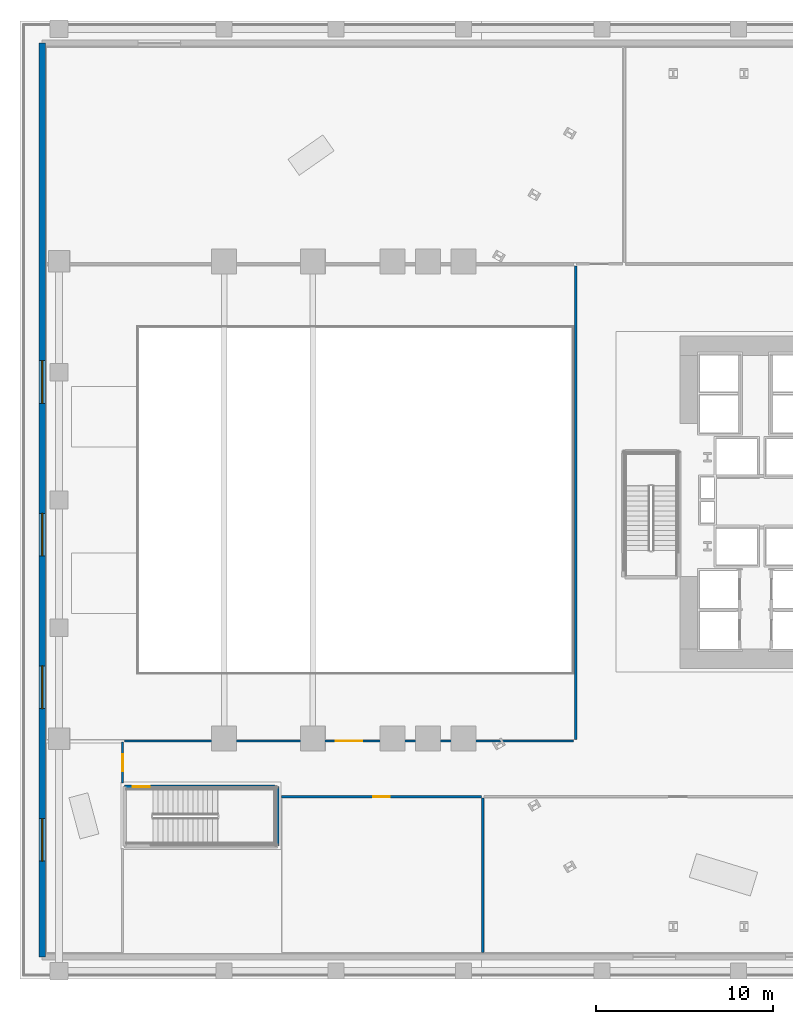
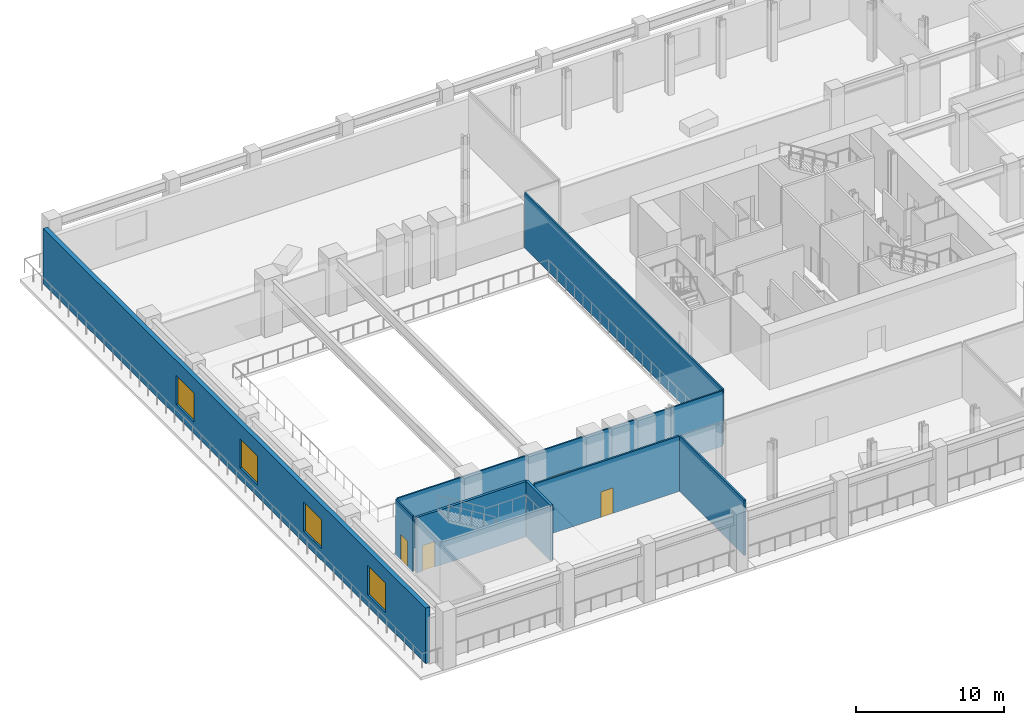
# One storey, part 3 of 19: 8 walls, 4 doors, 4 windows, 8 openings.
"""IFC4 building model written with IfcOpenShell, lengths in metres."""

from ifc_helpers import new_model, si_unit, direction, frame, frame_2d, origin, place, context, subcontext, project, spatial, rectangle, extrude, material, layer, layer_set, type_object, element, fill, save


model = new_model("IFC4")

# Units and contexts
model_context = context("Model", 3, precision=1e-05, world=origin(), true_north=direction((0.0, 1.0)))
body_context = subcontext(model_context, "Body", "Model", "MODEL_VIEW")
ifc_project = project(units=[si_unit("LENGTHUNIT", "METRE"), si_unit("AREAUNIT", "SQUARE_METRE"), si_unit("VOLUMEUNIT", "CUBIC_METRE"), si_unit("PLANEANGLEUNIT", "RADIAN"), si_unit("MASSUNIT", "GRAM", prefix="KILO")], contexts=[model_context])

# Site, building, storey
site_placement = place(None, origin())
site = spatial("IfcSite", under=ifc_project, at=site_placement, CompositionType="ELEMENT")
building_placement = place(site_placement, origin())
building = spatial("IfcBuilding", under=site, at=building_placement, Name="Valkerne Bourse Tower", CompositionType="ELEMENT")
storey_placement = place(building_placement, frame((0.0, 0.0, 5.39990234375)))
storey = spatial("IfcBuildingStorey", under=building, at=storey_placement, Name="L01", CompositionType="ELEMENT", Elevation=5.39990234375)

# Wall, opening, door
ifc_material_1 = material(Name="Gypsum Board Steel-Stud Partition", Category="steel")
ifc_layer_1 = layer(ifc_material_1, 0.117919921875)
ifc_layer_set_1 = layer_set([ifc_layer_1], Name="Gypsum Board Steel-Stud Partition")
wall_type_1 = type_object("IfcWallType", Name="W-CORR-140", PredefinedType="PARTITIONING", material=ifc_layer_set_1)
wall_1_placement = place(storey_placement, frame((5.89990234375, 13.419921875, 0.0), z_axis=(0.0, 0.0, 1.0), x_axis=(1.0, 0.0, 0.0)))
wall_1 = element("IfcWall", 1, at=wall_1_placement, inside=storey, type_object=wall_type_1, Name="L01 L01 Gallery South Wall", PredefinedType="PARTITIONING", context=body_context, shape_type="SweptSolid", body=[
    extrude(rectangle(XDim=25.300048828125, YDim=0.117919921875, at=frame_2d((12.64990234375, 0.0))), origin(), (0.0, 0.0, 1.0), 4.56005859375),
])
opening_1_placement = place(wall_1_placement, frame((11.89990234375, 0.0, 0.0)))
opening_1 = element("IfcOpeningElement", 2, at=opening_1_placement, cuts=wall_1, Name="Opening D-CR-1500", PredefinedType="OPENING", context=body_context, shape_type="SweptSolid", body=[
    extrude(rectangle(XDim=1.5, YDim=2.14990234375, at=frame_2d((0.75, 1.074951171875))), frame((0.0, 0.06884765625, 0.0), z_axis=(0.0, -1.0, 0.0), x_axis=(1.0, 0.0, 0.0)), (0.0, 0.0, 1.0), 0.137939453125),
])
ifc_material_2 = material(Name="Galvanised Painted Steel", Category="steel")
door_type_1 = type_object("IfcDoorType", Name="DR-CORR-1500", OperationType="DOUBLE_DOOR_SINGLE_SWING", PredefinedType="DOOR", material=ifc_material_2)
door_1_placement = place(opening_1_placement, origin())
door_1 = element("IfcDoor", 3, at=door_1_placement, inside=storey, type_object=door_type_1, Name="L01 L01 Gallery South Door", OperationType="DOUBLE_DOOR_SINGLE_SWING", OverallHeight=2.14990234375, OverallWidth=1.5, PredefinedType="DOOR", context=body_context, shape_type="SweptSolid", body=[
    extrude(rectangle(XDim=1.5, YDim=2.14990234375, at=frame_2d((0.75, 1.074951171875))), frame((0.0, 0.02490234375, 0.0), z_axis=(0.0, -1.0, 0.0), x_axis=(1.0, 0.0, 0.0)), (0.0, 0.0, 1.0), 0.050048828125),
])
fill(opening_1, door_1)

# Wall
wall_2_placement = place(storey_placement, frame((31.320068359375, 13.5, 0.0), z_axis=(0.0, 0.0, 1.0), x_axis=(0.0, 1.0, 0.0)))
element("IfcWall", 4, at=wall_2_placement, inside=storey, type_object=wall_type_1, Name="L01 L01 Gallery East Wall", PredefinedType="PARTITIONING", context=body_context, shape_type="SweptSolid", body=[
    extrude(rectangle(XDim=26.699951171875, YDim=0.117919921875, at=frame_2d((13.35009765625, 0.0))), origin(), (0.0, 0.0, 1.0), 4.56005859375),
])

# Wall, opening, door
wall_3_placement = place(storey_placement, frame((5.780029296875, 11.050048828125, 0.0), z_axis=(0.0, 0.0, 1.0), x_axis=(0.0, 1.0, 0.0)))
wall_3 = element("IfcWall", 5, at=wall_3_placement, inside=storey, type_object=wall_type_1, Name="L01 L01 South-West Operations Office Wall", PredefinedType="PARTITIONING", context=body_context, shape_type="SweptSolid", body=[
    extrude(rectangle(XDim=2.300048828125, YDim=0.117919921875, at=frame_2d((1.14990234375, 0.0))), origin(), (0.0, 0.0, 1.0), 4.56005859375),
])
opening_2_placement = place(wall_3_placement, frame((0.675048828125, 0.0, 0.0)))
opening_2 = element("IfcOpeningElement", 6, at=opening_2_placement, cuts=wall_3, Name="Opening D-OF-950", PredefinedType="OPENING", context=body_context, shape_type="SweptSolid", body=[
    extrude(rectangle(XDim=0.949951171875, YDim=2.10009765625, at=frame_2d((0.47509765625, 1.050048828125))), frame((0.0, 0.06884765625, 0.0), z_axis=(0.0, -1.0, 0.0), x_axis=(1.0, 0.0, 0.0)), (0.0, 0.0, 1.0), 0.137939453125),
])
ifc_material_3 = material(Name="Architectural White Oak Timber", Category="wood")
door_type_2 = type_object("IfcDoorType", Name="DR-OFF-950", OperationType="NOTDEFINED", PredefinedType="DOOR", material=ifc_material_3)
door_2_placement = place(opening_2_placement, origin())
door_2 = element("IfcDoor", 7, at=door_2_placement, inside=storey, type_object=door_type_2, Name="L01 L01 SW Office Door", OperationType="SINGLE_SWING_RIGHT", OverallHeight=2.10009765625, OverallWidth=0.949951171875, PredefinedType="DOOR", context=body_context, shape_type="SweptSolid", body=[
    extrude(rectangle(XDim=0.949951171875, YDim=2.10009765625, at=frame_2d((0.47509765625, 1.050048828125))), frame((0.0, 0.02490234375, 0.0), z_axis=(0.0, -1.0, 0.0), x_axis=(1.0, 0.0, 0.0)), (0.0, 0.0, 1.0), 0.050048828125),
])
fill(opening_2, door_2)

# Wall, openings, windows
ifc_material_4 = material(Name="Indiana Limestone Cladding", Category="masonry")
ifc_layer_2 = layer(ifc_material_4, 0.35009765625)
ifc_layer_set_2 = layer_set([ifc_layer_2], Name="Indiana Limestone Cladding")
wall_type_2 = type_object("IfcWallType", Name="W-EXT-LIMESTONE-350", PredefinedType="STANDARD", material=ifc_layer_set_2)
wall_4_placement = place(storey_placement, frame((1.25, 1.25, 0.0), z_axis=(0.0, 0.0, 1.0), x_axis=(0.0, 1.0, 0.0)))
wall_4 = element("IfcWall", 8, at=wall_4_placement, inside=storey, type_object=wall_type_2, Name="L01 Podium Exterior Wall WEST", PredefinedType="STANDARD", context=body_context, shape_type="SweptSolid", body=[
    extrude(rectangle(XDim=51.5, YDim=0.35009765625, at=frame_2d((25.75, 0.0))), origin(), (0.0, 0.0, 1.0), 4.56005859375),
])
opening_3_placement = place(wall_4_placement, frame((5.39990234375, 0.0, 0.949951171875)))
opening_3 = element("IfcOpeningElement", 9, at=opening_3_placement, cuts=wall_4, Name="Opening WN-02", PredefinedType="OPENING", context=body_context, shape_type="SweptSolid", body=[
    extrude(rectangle(XDim=2.39990234375, YDim=2.39990234375, at=frame_2d((1.199951171875, 1.199951171875))), frame((0.0, 0.18505859375, 0.0), z_axis=(0.0, -1.0, 0.0), x_axis=(1.0, 0.0, 0.0)), (0.0, 0.0, 1.0), 0.3701171875),
])
opening_4_placement = place(wall_4_placement, frame((14.0, 0.0, 0.949951171875)))
opening_4 = element("IfcOpeningElement", 10, at=opening_4_placement, cuts=wall_4, Name="Opening WN-02", PredefinedType="OPENING", context=body_context, shape_type="SweptSolid", body=[
    extrude(rectangle(XDim=2.39990234375, YDim=2.39990234375, at=frame_2d((1.199951171875, 1.199951171875))), frame((0.0, 0.18505859375, 0.0), z_axis=(0.0, -1.0, 0.0), x_axis=(1.0, 0.0, 0.0)), (0.0, 0.0, 1.0), 0.3701171875),
])
opening_5_placement = place(wall_4_placement, frame((22.60009765625, 0.0, 0.949951171875)))
opening_5 = element("IfcOpeningElement", 11, at=opening_5_placement, cuts=wall_4, Name="Opening WN-02", PredefinedType="OPENING", context=body_context, shape_type="SweptSolid", body=[
    extrude(rectangle(XDim=2.39990234375, YDim=2.39990234375, at=frame_2d((1.199951171875, 1.199951171875))), frame((0.0, 0.18505859375, 0.0), z_axis=(0.0, -1.0, 0.0), x_axis=(1.0, 0.0, 0.0)), (0.0, 0.0, 1.0), 0.3701171875),
])
opening_6_placement = place(wall_4_placement, frame((31.199951171875, 0.0, 0.949951171875)))
opening_6 = element("IfcOpeningElement", 12, at=opening_6_placement, cuts=wall_4, Name="Opening WN-02", PredefinedType="OPENING", context=body_context, shape_type="SweptSolid", body=[
    extrude(rectangle(XDim=2.39990234375, YDim=2.39990234375, at=frame_2d((1.199951171875, 1.199951171875))), frame((0.0, 0.18505859375, 0.0), z_axis=(0.0, -1.0, 0.0), x_axis=(1.0, 0.0, 0.0)), (0.0, 0.0, 1.0), 0.3701171875),
])
ifc_material_5 = material(Name="Glass IGU Low-E Double Glazed", Category="glass")
window_type = type_object("IfcWindowType", Name="WIN-POD-2400X2400", PartitioningType="SINGLE_PANEL", PredefinedType="WINDOW", material=ifc_material_5)
window_1_placement = place(opening_3_placement, origin())
window_1 = element("IfcWindow", 13, at=window_1_placement, inside=storey, type_object=window_type, Name="L01 Podium Low-E Window 01", OverallHeight=2.39990234375, OverallWidth=2.39990234375, PartitioningType="SINGLE_PANEL", PredefinedType="WINDOW", context=body_context, shape_type="SweptSolid", body=[
    extrude(rectangle(XDim=2.39990234375, YDim=2.39990234375, at=frame_2d((1.199951171875, 1.199951171875))), frame((0.0, 0.030029296875, 0.0), z_axis=(0.0, -1.0, 0.0), x_axis=(1.0, 0.0, 0.0)), (0.0, 0.0, 1.0), 0.06005859375),
])
fill(opening_3, window_1)
window_2_placement = place(opening_4_placement, origin())
window_2 = element("IfcWindow", 14, at=window_2_placement, inside=storey, type_object=window_type, Name="L01 Podium Low-E Window 02", OverallHeight=2.39990234375, OverallWidth=2.39990234375, PartitioningType="SINGLE_PANEL", PredefinedType="WINDOW", context=body_context, shape_type="SweptSolid", body=[
    extrude(rectangle(XDim=2.39990234375, YDim=2.39990234375, at=frame_2d((1.199951171875, 1.199951171875))), frame((0.0, 0.030029296875, 0.0), z_axis=(0.0, -1.0, 0.0), x_axis=(1.0, 0.0, 0.0)), (0.0, 0.0, 1.0), 0.06005859375),
])
fill(opening_4, window_2)
window_3_placement = place(opening_5_placement, origin())
window_3 = element("IfcWindow", 15, at=window_3_placement, inside=storey, type_object=window_type, Name="L01 Podium Low-E Window 03", OverallHeight=2.39990234375, OverallWidth=2.39990234375, PartitioningType="SINGLE_PANEL", PredefinedType="WINDOW", context=body_context, shape_type="SweptSolid", body=[
    extrude(rectangle(XDim=2.39990234375, YDim=2.39990234375, at=frame_2d((1.199951171875, 1.199951171875))), frame((0.0, 0.030029296875, 0.0), z_axis=(0.0, -1.0, 0.0), x_axis=(1.0, 0.0, 0.0)), (0.0, 0.0, 1.0), 0.06005859375),
])
fill(opening_5, window_3)
window_4_placement = place(opening_6_placement, origin())
window_4 = element("IfcWindow", 16, at=window_4_placement, inside=storey, type_object=window_type, Name="L01 Podium Low-E Window 04", OverallHeight=2.39990234375, OverallWidth=2.39990234375, PartitioningType="SINGLE_PANEL", PredefinedType="WINDOW", context=body_context, shape_type="SweptSolid", body=[
    extrude(rectangle(XDim=2.39990234375, YDim=2.39990234375, at=frame_2d((1.199951171875, 1.199951171875))), frame((0.0, 0.030029296875, 0.0), z_axis=(0.0, -1.0, 0.0), x_axis=(1.0, 0.0, 0.0)), (0.0, 0.0, 1.0), 0.06005859375),
])
fill(opening_6, window_4)

# Wall, opening, door
ifc_material_6 = material(Name="Concrete C40/50", Category="concrete")
ifc_layer_3 = layer(ifc_material_6, 0.199951171875)
ifc_layer_set_3 = layer_set([ifc_layer_3], Name="Concrete C40/50")
wall_type_3 = type_object("IfcWallType", Name="W-SHF-200", PredefinedType="SHEAR", material=ifc_layer_set_3)
wall_5_placement = place(storey_placement, frame((5.89990234375, 10.85009765625, 0.0), z_axis=(0.0, 0.0, 1.0), x_axis=(1.0, 0.0, 0.0)))
wall_5 = element("IfcWall", 17, at=wall_5_placement, inside=storey, type_object=wall_type_3, Name="L01 Exit Stair ST-P1 Structural North Wall", PredefinedType="SHEAR", context=body_context, shape_type="SweptSolid", body=[
    extrude(rectangle(XDim=8.60009765625, YDim=0.199951171875, at=frame_2d((4.300048828125, 0.0))), origin(), (0.0, 0.0, 1.0), 4.56005859375),
])
opening_7_placement = place(wall_5_placement, frame((0.449951171875, 0.0, 0.0)))
opening_7 = element("IfcOpeningElement", 18, at=opening_7_placement, cuts=wall_5, Name="Opening D-ST-950", PredefinedType="OPENING", context=body_context, shape_type="SweptSolid", body=[
    extrude(rectangle(XDim=0.949951171875, YDim=2.10009765625, at=frame_2d((0.47509765625, 1.050048828125))), frame((0.0, 0.10986328125, 0.0), z_axis=(0.0, -1.0, 0.0), x_axis=(1.0, 0.0, 0.0)), (0.0, 0.0, 1.0), 0.219970703125),
])
door_type_3 = type_object("IfcDoorType", Name="DR-STAIR-950", OperationType="NOTDEFINED", PredefinedType="DOOR", material=ifc_material_2)
door_3_placement = place(opening_7_placement, origin())
door_3 = element("IfcDoor", 19, at=door_3_placement, inside=storey, type_object=door_type_3, Name="L01 Exit Stair ST-P1 Door", OperationType="SINGLE_SWING_LEFT", OverallHeight=2.10009765625, OverallWidth=0.949951171875, PredefinedType="DOOR", context=body_context, shape_type="SweptSolid", body=[
    extrude(rectangle(XDim=0.949951171875, YDim=2.10009765625, at=frame_2d((0.47509765625, 1.050048828125))), frame((0.0, 0.02490234375, 0.0), z_axis=(0.0, -1.0, 0.0), x_axis=(1.0, 0.0, 0.0)), (0.0, 0.0, 1.0), 0.050048828125),
])
fill(opening_7, door_3)

# Walls
wall_6_placement = place(storey_placement, frame((14.5, 7.5, 0.0), z_axis=(0.0, 0.0, 1.0), x_axis=(0.0, 1.0, 0.0)))
element("IfcWall", 20, at=wall_6_placement, inside=storey, type_object=wall_type_3, Name="L01 Exit Stair ST-P1 Structural East Wall", PredefinedType="SHEAR", context=body_context, shape_type="SweptSolid", body=[
    extrude(rectangle(XDim=3.35009765625, YDim=0.199951171875, at=frame_2d((1.675048828125, 0.0))), origin(), (0.0, 0.0, 1.0), 4.56005859375),
])
ifc_material_7 = material(Name="Moisture-Resistant Gypsum Partition", Category="gypsum")
ifc_layer_4 = layer(ifc_material_7, 0.139892578125)
ifc_layer_set_4 = layer_set([ifc_layer_4], Name="Moisture-Resistant Gypsum Partition")
wall_type_4 = type_object("IfcWallType", Name="W-WET-140", PredefinedType="PARTITIONING", material=ifc_layer_set_4)
wall_7_placement = place(storey_placement, frame((26.080078125, 1.5, 0.0), z_axis=(0.0, 0.0, 1.0), x_axis=(0.0, 1.0, 0.0)))
element("IfcWall", 21, at=wall_7_placement, inside=storey, type_object=wall_type_4, Name="L01 L01 Staff Break Kitchen & Pantry Wall", PredefinedType="PARTITIONING", context=body_context, shape_type="SweptSolid", body=[
    extrude(rectangle(XDim=8.699951171875, YDim=0.139892578125, at=frame_2d((4.35009765625, 0.0))), origin(), (0.0, 0.0, 1.0), 4.56005859375),
])

# Wall, opening, door
wall_8_placement = place(storey_placement, frame((14.75, 10.280029296875, 0.0), z_axis=(0.0, 0.0, 1.0), x_axis=(1.0, 0.0, 0.0)))
wall_8 = element("IfcWall", 22, at=wall_8_placement, inside=storey, type_object=wall_type_4, Name="L01 L01 Staff Break Kitchen & Pantry Wall", PredefinedType="PARTITIONING", context=body_context, shape_type="SweptSolid", body=[
    extrude(rectangle(XDim=11.25, YDim=0.139892578125, at=frame_2d((5.625, 0.0))), origin(), (0.0, 0.0, 1.0), 4.56005859375),
])
opening_8_placement = place(wall_8_placement, frame((5.14990234375, 0.0, 0.0)))
opening_8 = element("IfcOpeningElement", 23, at=opening_8_placement, cuts=wall_8, Name="Opening D-OF-950", PredefinedType="OPENING", context=body_context, shape_type="SweptSolid", body=[
    extrude(rectangle(XDim=0.949951171875, YDim=2.10009765625, at=frame_2d((0.47509765625, 1.050048828125))), frame((0.0, 0.079833984375, 0.0), z_axis=(0.0, -1.0, 0.0), x_axis=(1.0, 0.0, 0.0)), (0.0, 0.0, 1.0), 0.159912109375),
])
door_4_placement = place(opening_8_placement, origin())
door_4 = element("IfcDoor", 24, at=door_4_placement, inside=storey, type_object=door_type_2, Name="L01 L01 Staff Kitchen Door", OperationType="SINGLE_SWING_RIGHT", OverallHeight=2.10009765625, OverallWidth=0.949951171875, PredefinedType="DOOR", context=body_context, shape_type="SweptSolid", body=[
    extrude(rectangle(XDim=0.949951171875, YDim=2.10009765625, at=frame_2d((0.47509765625, 1.050048828125))), frame((0.0, 0.02490234375, 0.0), z_axis=(0.0, -1.0, 0.0), x_axis=(1.0, 0.0, 0.0)), (0.0, 0.0, 1.0), 0.050048828125),
])
fill(opening_8, door_4)

save(model, "model.ifc")
